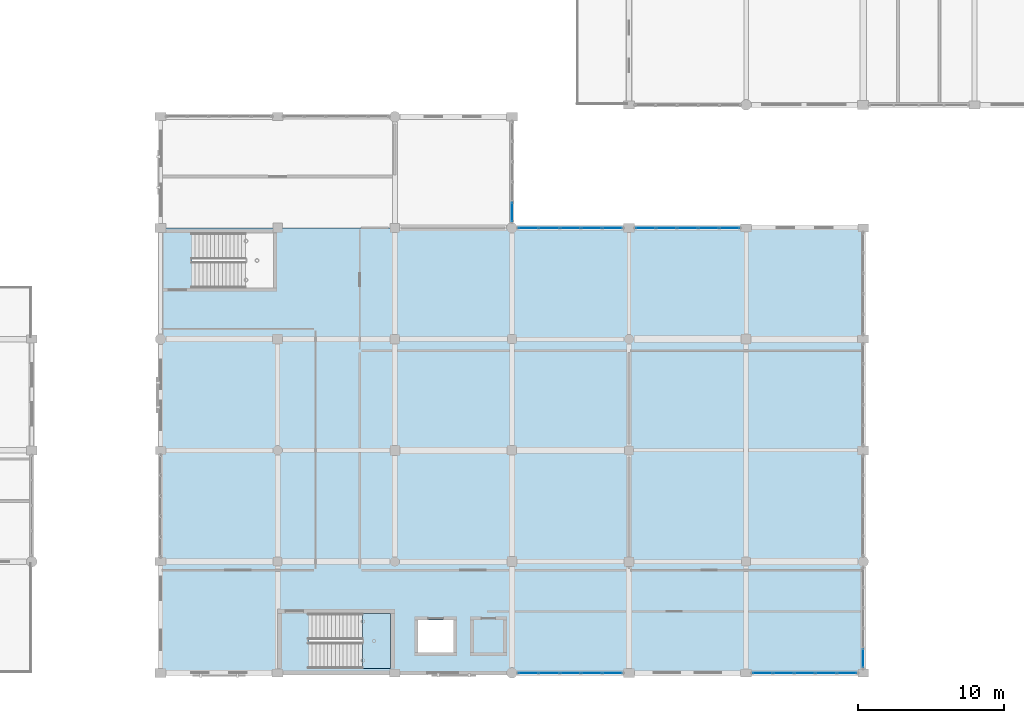
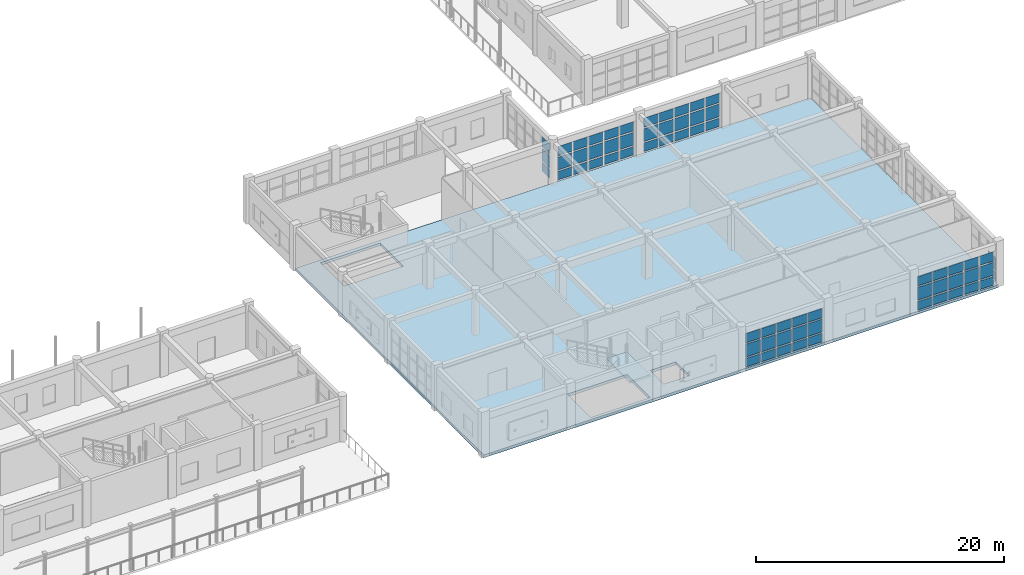
# One storey, part 116 of 160: 65 plates, 2 slabs, 7 elements without a shape of their own.
"""IFC4 building model written with IfcOpenShell, lengths in metres."""

from ifc_helpers import new_model, si_unit, direction, frame, origin, origin_2d, place, context, subcontext, project, spatial, polyline, rectangle, outline, extrude, material, layer, layer_set, type_object, element, aggregate, save


model = new_model("IFC4")

# Units and contexts
model_context = context("Model", 3, precision=1e-05, world=origin(), true_north=direction((0.0, 1.0)))
body_context = subcontext(model_context, "Body", "Model", "MODEL_VIEW")
ifc_project = project(units=[si_unit("LENGTHUNIT", "METRE"), si_unit("AREAUNIT", "SQUARE_METRE"), si_unit("VOLUMEUNIT", "CUBIC_METRE"), si_unit("PLANEANGLEUNIT", "RADIAN"), si_unit("MASSUNIT", "GRAM", prefix="KILO")], contexts=[model_context])

# Site, building, storey
site_placement = place(None, origin())
site = spatial("IfcSite", under=ifc_project, at=site_placement, CompositionType="ELEMENT")
building_placement = place(site_placement, origin())
building = spatial("IfcBuilding", under=site, at=building_placement, Name="Kharva Crest Polytechnic", CompositionType="ELEMENT")
storey_placement = place(building_placement, frame((0.0, 0.0, 4.5)))
storey = spatial("IfcBuildingStorey", under=building, at=storey_placement, Name="L01", CompositionType="ELEMENT", Elevation=4.5)

# Curtain wall, plates
ifc_material_1 = material(Name="Tempered insulated glass", Category="glass")
curtain_wall_type = type_object("IfcCurtainWallType", Name="CW-SYS-REFECTORY", PredefinedType="USERDEFINED", material=ifc_material_1)
curtain_wall_1_placement = place(storey_placement, origin())
curtain_wall_1 = element("IfcCurtainWall", 1, at=curtain_wall_1_placement, inside=storey, type_object=curtain_wall_type, Name="L01 Glazed Curtain Wall CW-041", ObjectType="CURTAIN WALL", PredefinedType="USERDEFINED")
ifc_layer_1 = layer(ifc_material_1, 0.030029296875, Name="Tempered insulated glass")
ifc_layer_set_1 = layer_set([ifc_layer_1], Name="Tempered insulated glass")
plate_type = type_object("IfcPlateType", Name="CWP-GLZ-30", PredefinedType="CURTAIN_PANEL", material=ifc_layer_set_1)
plate_1_placement = place(storey_placement, frame((144.800048828125, 31.48291015625, 0.14013671875), z_axis=(0.0, 0.0, 1.0), x_axis=(0.0, 1.0, 0.0)))
plate_1 = element("IfcPlate", 2, at=plate_1_placement, type_object=plate_type, Name="CW-041 panel 1.1", PredefinedType="CURTAIN_PANEL", context=body_context, shape_type="SweptSolid", body=[
    extrude(rectangle(XDim=1.236083984375, YDim=0.030029296875, at=origin_2d()), origin(), (0.0, 0.0, 1.0), 0.840087890625),
])
plate_2_placement = place(storey_placement, frame((144.800048828125, 31.48291015625, 1.1201171875), z_axis=(0.0, 0.0, 1.0), x_axis=(0.0, 1.0, 0.0)))
plate_2 = element("IfcPlate", 3, at=plate_2_placement, type_object=plate_type, Name="CW-041 panel 1.2", PredefinedType="CURTAIN_PANEL", context=body_context, shape_type="SweptSolid", body=[
    extrude(rectangle(XDim=1.236083984375, YDim=0.030029296875, at=origin_2d()), origin(), (0.0, 0.0, 1.0), 1.260009765625),
])
plate_3_placement = place(storey_placement, frame((144.800048828125, 31.48291015625, 2.52001953125), z_axis=(0.0, 0.0, 1.0), x_axis=(0.0, 1.0, 0.0)))
plate_3 = element("IfcPlate", 4, at=plate_3_placement, type_object=plate_type, Name="CW-041 panel 1.3", PredefinedType="CURTAIN_PANEL", context=body_context, shape_type="SweptSolid", body=[
    extrude(rectangle(XDim=1.236083984375, YDim=0.030029296875, at=origin_2d()), origin(), (0.0, 0.0, 1.0), 1.0400390625),
])
aggregate(curtain_wall_1, [plate_1, plate_2, plate_3])

curtain_wall_2_placement = place(storey_placement, origin())
curtain_wall_2 = element("IfcCurtainWall", 5, at=curtain_wall_2_placement, inside=storey, type_object=curtain_wall_type, Name="L01 Glazed Curtain Wall CW-045", ObjectType="CURTAIN WALL", PredefinedType="USERDEFINED")
plate_4_placement = place(storey_placement, frame((145.91552734375, 0.0, 0.14013671875), z_axis=(0.0, 0.0, 1.0), x_axis=(1.0, 0.0, 0.0)))
plate_4 = element("IfcPlate", 6, at=plate_4_placement, type_object=plate_type, Name="CW-045 panel 1.1", PredefinedType="CURTAIN_PANEL", context=body_context, shape_type="SweptSolid", body=[
    extrude(rectangle(XDim=1.301025390625, YDim=0.030029296875, at=origin_2d()), origin(), (0.0, 0.0, 1.0), 0.840087890625),
])
plate_5_placement = place(storey_placement, frame((145.91552734375, 0.0, 1.1201171875), z_axis=(0.0, 0.0, 1.0), x_axis=(1.0, 0.0, 0.0)))
plate_5 = element("IfcPlate", 7, at=plate_5_placement, type_object=plate_type, Name="CW-045 panel 1.2", PredefinedType="CURTAIN_PANEL", context=body_context, shape_type="SweptSolid", body=[
    extrude(rectangle(XDim=1.301025390625, YDim=0.030029296875, at=origin_2d()), origin(), (0.0, 0.0, 1.0), 1.260009765625),
])
plate_6_placement = place(storey_placement, frame((145.91552734375, 0.0, 2.52001953125), z_axis=(0.0, 0.0, 1.0), x_axis=(1.0, 0.0, 0.0)))
plate_6 = element("IfcPlate", 8, at=plate_6_placement, type_object=plate_type, Name="CW-045 panel 1.3", PredefinedType="CURTAIN_PANEL", context=body_context, shape_type="SweptSolid", body=[
    extrude(rectangle(XDim=1.301025390625, YDim=0.030029296875, at=origin_2d()), origin(), (0.0, 0.0, 1.0), 0.909912109375),
])
plate_7_placement = place(storey_placement, frame((147.341552734375, 0.0, 0.14013671875), z_axis=(0.0, 0.0, 1.0), x_axis=(1.0, 0.0, 0.0)))
plate_7 = element("IfcPlate", 9, at=plate_7_placement, type_object=plate_type, Name="CW-045 panel 2.1", PredefinedType="CURTAIN_PANEL", context=body_context, shape_type="SweptSolid", body=[
    extrude(rectangle(XDim=1.35107421875, YDim=0.030029296875, at=origin_2d()), origin(), (0.0, 0.0, 1.0), 0.840087890625),
])
plate_8_placement = place(storey_placement, frame((147.341552734375, 0.0, 1.1201171875), z_axis=(0.0, 0.0, 1.0), x_axis=(1.0, 0.0, 0.0)))
plate_8 = element("IfcPlate", 10, at=plate_8_placement, type_object=plate_type, Name="CW-045 panel 2.2", PredefinedType="CURTAIN_PANEL", context=body_context, shape_type="SweptSolid", body=[
    extrude(rectangle(XDim=1.35107421875, YDim=0.030029296875, at=origin_2d()), origin(), (0.0, 0.0, 1.0), 1.260009765625),
])
plate_9_placement = place(storey_placement, frame((147.341552734375, 0.0, 2.52001953125), z_axis=(0.0, 0.0, 1.0), x_axis=(1.0, 0.0, 0.0)))
plate_9 = element("IfcPlate", 11, at=plate_9_placement, type_object=plate_type, Name="CW-045 panel 2.3", PredefinedType="CURTAIN_PANEL", context=body_context, shape_type="SweptSolid", body=[
    extrude(rectangle(XDim=1.35107421875, YDim=0.030029296875, at=origin_2d()), origin(), (0.0, 0.0, 1.0), 0.909912109375),
])
plate_10_placement = place(storey_placement, frame((148.79248046875, 0.0, 0.14013671875), z_axis=(0.0, 0.0, 1.0), x_axis=(1.0, 0.0, 0.0)))
plate_10 = element("IfcPlate", 12, at=plate_10_placement, type_object=plate_type, Name="CW-045 panel 3.1", PredefinedType="CURTAIN_PANEL", context=body_context, shape_type="SweptSolid", body=[
    extrude(rectangle(XDim=1.35107421875, YDim=0.030029296875, at=origin_2d()), origin(), (0.0, 0.0, 1.0), 0.840087890625),
])
plate_11_placement = place(storey_placement, frame((148.79248046875, 0.0, 1.1201171875), z_axis=(0.0, 0.0, 1.0), x_axis=(1.0, 0.0, 0.0)))
plate_11 = element("IfcPlate", 13, at=plate_11_placement, type_object=plate_type, Name="CW-045 panel 3.2", PredefinedType="CURTAIN_PANEL", context=body_context, shape_type="SweptSolid", body=[
    extrude(rectangle(XDim=1.35107421875, YDim=0.030029296875, at=origin_2d()), origin(), (0.0, 0.0, 1.0), 1.260009765625),
])
plate_12_placement = place(storey_placement, frame((148.79248046875, 0.0, 2.52001953125), z_axis=(0.0, 0.0, 1.0), x_axis=(1.0, 0.0, 0.0)))
plate_12 = element("IfcPlate", 14, at=plate_12_placement, type_object=plate_type, Name="CW-045 panel 3.3", PredefinedType="CURTAIN_PANEL", context=body_context, shape_type="SweptSolid", body=[
    extrude(rectangle(XDim=1.35107421875, YDim=0.030029296875, at=origin_2d()), origin(), (0.0, 0.0, 1.0), 0.909912109375),
])
plate_13_placement = place(storey_placement, frame((150.243408203125, 0.0, 0.14013671875), z_axis=(0.0, 0.0, 1.0), x_axis=(1.0, 0.0, 0.0)))
plate_13 = element("IfcPlate", 15, at=plate_13_placement, type_object=plate_type, Name="CW-045 panel 4.1", PredefinedType="CURTAIN_PANEL", context=body_context, shape_type="SweptSolid", body=[
    extrude(rectangle(XDim=1.35107421875, YDim=0.030029296875, at=origin_2d()), origin(), (0.0, 0.0, 1.0), 0.840087890625),
])
plate_14_placement = place(storey_placement, frame((150.243408203125, 0.0, 1.1201171875), z_axis=(0.0, 0.0, 1.0), x_axis=(1.0, 0.0, 0.0)))
plate_14 = element("IfcPlate", 16, at=plate_14_placement, type_object=plate_type, Name="CW-045 panel 4.2", PredefinedType="CURTAIN_PANEL", context=body_context, shape_type="SweptSolid", body=[
    extrude(rectangle(XDim=1.35107421875, YDim=0.030029296875, at=origin_2d()), origin(), (0.0, 0.0, 1.0), 1.260009765625),
])
plate_15_placement = place(storey_placement, frame((150.243408203125, 0.0, 2.52001953125), z_axis=(0.0, 0.0, 1.0), x_axis=(1.0, 0.0, 0.0)))
plate_15 = element("IfcPlate", 17, at=plate_15_placement, type_object=plate_type, Name="CW-045 panel 4.3", PredefinedType="CURTAIN_PANEL", context=body_context, shape_type="SweptSolid", body=[
    extrude(rectangle(XDim=1.35107421875, YDim=0.030029296875, at=origin_2d()), origin(), (0.0, 0.0, 1.0), 0.909912109375),
])
plate_16_placement = place(storey_placement, frame((151.66943359375, 0.0, 0.14013671875), z_axis=(0.0, 0.0, 1.0), x_axis=(1.0, 0.0, 0.0)))
plate_16 = element("IfcPlate", 18, at=plate_16_placement, type_object=plate_type, Name="CW-045 panel 5.1", PredefinedType="CURTAIN_PANEL", context=body_context, shape_type="SweptSolid", body=[
    extrude(rectangle(XDim=1.301025390625, YDim=0.030029296875, at=origin_2d()), origin(), (0.0, 0.0, 1.0), 0.840087890625),
])
plate_17_placement = place(storey_placement, frame((151.66943359375, 0.0, 1.1201171875), z_axis=(0.0, 0.0, 1.0), x_axis=(1.0, 0.0, 0.0)))
plate_17 = element("IfcPlate", 19, at=plate_17_placement, type_object=plate_type, Name="CW-045 panel 5.2", PredefinedType="CURTAIN_PANEL", context=body_context, shape_type="SweptSolid", body=[
    extrude(rectangle(XDim=1.301025390625, YDim=0.030029296875, at=origin_2d()), origin(), (0.0, 0.0, 1.0), 1.260009765625),
])
plate_18_placement = place(storey_placement, frame((151.66943359375, 0.0, 2.52001953125), z_axis=(0.0, 0.0, 1.0), x_axis=(1.0, 0.0, 0.0)))
plate_18 = element("IfcPlate", 20, at=plate_18_placement, type_object=plate_type, Name="CW-045 panel 5.3", PredefinedType="CURTAIN_PANEL", context=body_context, shape_type="SweptSolid", body=[
    extrude(rectangle(XDim=1.301025390625, YDim=0.030029296875, at=origin_2d()), origin(), (0.0, 0.0, 1.0), 0.909912109375),
])
aggregate(curtain_wall_2, [plate_4, plate_5, plate_6, plate_7, plate_8, plate_9, plate_10, plate_11, plate_12, plate_13, plate_14, plate_15, plate_16, plate_17, plate_18])

curtain_wall_3_placement = place(storey_placement, origin())
curtain_wall_3 = element("IfcCurtainWall", 21, at=curtain_wall_3_placement, inside=storey, type_object=curtain_wall_type, Name="L01 Glazed Curtain Wall CW-046", ObjectType="CURTAIN WALL", PredefinedType="USERDEFINED")
plate_19_placement = place(storey_placement, frame((161.930419921875, 0.0, 0.14013671875), z_axis=(0.0, 0.0, 1.0), x_axis=(1.0, 0.0, 0.0)))
plate_19 = element("IfcPlate", 22, at=plate_19_placement, type_object=plate_type, Name="CW-046 panel 1.1", PredefinedType="CURTAIN_PANEL", context=body_context, shape_type="SweptSolid", body=[
    extrude(rectangle(XDim=1.301025390625, YDim=0.030029296875, at=origin_2d()), origin(), (0.0, 0.0, 1.0), 0.840087890625),
])
plate_20_placement = place(storey_placement, frame((161.930419921875, 0.0, 1.1201171875), z_axis=(0.0, 0.0, 1.0), x_axis=(1.0, 0.0, 0.0)))
plate_20 = element("IfcPlate", 23, at=plate_20_placement, type_object=plate_type, Name="CW-046 panel 1.2", PredefinedType="CURTAIN_PANEL", context=body_context, shape_type="SweptSolid", body=[
    extrude(rectangle(XDim=1.301025390625, YDim=0.030029296875, at=origin_2d()), origin(), (0.0, 0.0, 1.0), 1.260009765625),
])
plate_21_placement = place(storey_placement, frame((161.930419921875, 0.0, 2.52001953125), z_axis=(0.0, 0.0, 1.0), x_axis=(1.0, 0.0, 0.0)))
plate_21 = element("IfcPlate", 24, at=plate_21_placement, type_object=plate_type, Name="CW-046 panel 1.3", PredefinedType="CURTAIN_PANEL", context=body_context, shape_type="SweptSolid", body=[
    extrude(rectangle(XDim=1.301025390625, YDim=0.030029296875, at=origin_2d()), origin(), (0.0, 0.0, 1.0), 0.909912109375),
])
plate_22_placement = place(storey_placement, frame((163.3564453125, 0.0, 0.14013671875), z_axis=(0.0, 0.0, 1.0), x_axis=(1.0, 0.0, 0.0)))
plate_22 = element("IfcPlate", 25, at=plate_22_placement, type_object=plate_type, Name="CW-046 panel 2.1", PredefinedType="CURTAIN_PANEL", context=body_context, shape_type="SweptSolid", body=[
    extrude(rectangle(XDim=1.35107421875, YDim=0.030029296875, at=origin_2d()), origin(), (0.0, 0.0, 1.0), 0.840087890625),
])
plate_23_placement = place(storey_placement, frame((163.3564453125, 0.0, 1.1201171875), z_axis=(0.0, 0.0, 1.0), x_axis=(1.0, 0.0, 0.0)))
plate_23 = element("IfcPlate", 26, at=plate_23_placement, type_object=plate_type, Name="CW-046 panel 2.2", PredefinedType="CURTAIN_PANEL", context=body_context, shape_type="SweptSolid", body=[
    extrude(rectangle(XDim=1.35107421875, YDim=0.030029296875, at=origin_2d()), origin(), (0.0, 0.0, 1.0), 1.260009765625),
])
plate_24_placement = place(storey_placement, frame((163.3564453125, 0.0, 2.52001953125), z_axis=(0.0, 0.0, 1.0), x_axis=(1.0, 0.0, 0.0)))
plate_24 = element("IfcPlate", 27, at=plate_24_placement, type_object=plate_type, Name="CW-046 panel 2.3", PredefinedType="CURTAIN_PANEL", context=body_context, shape_type="SweptSolid", body=[
    extrude(rectangle(XDim=1.35107421875, YDim=0.030029296875, at=origin_2d()), origin(), (0.0, 0.0, 1.0), 0.909912109375),
])
plate_25_placement = place(storey_placement, frame((164.8076171875, 0.0, 0.14013671875), z_axis=(0.0, 0.0, 1.0), x_axis=(1.0, 0.0, 0.0)))
plate_25 = element("IfcPlate", 28, at=plate_25_placement, type_object=plate_type, Name="CW-046 panel 3.1", PredefinedType="CURTAIN_PANEL", context=body_context, shape_type="SweptSolid", body=[
    extrude(rectangle(XDim=1.35107421875, YDim=0.030029296875, at=origin_2d()), origin(), (0.0, 0.0, 1.0), 0.840087890625),
])
plate_26_placement = place(storey_placement, frame((164.8076171875, 0.0, 1.1201171875), z_axis=(0.0, 0.0, 1.0), x_axis=(1.0, 0.0, 0.0)))
plate_26 = element("IfcPlate", 29, at=plate_26_placement, type_object=plate_type, Name="CW-046 panel 3.2", PredefinedType="CURTAIN_PANEL", context=body_context, shape_type="SweptSolid", body=[
    extrude(rectangle(XDim=1.35107421875, YDim=0.030029296875, at=origin_2d()), origin(), (0.0, 0.0, 1.0), 1.260009765625),
])
plate_27_placement = place(storey_placement, frame((164.8076171875, 0.0, 2.52001953125), z_axis=(0.0, 0.0, 1.0), x_axis=(1.0, 0.0, 0.0)))
plate_27 = element("IfcPlate", 30, at=plate_27_placement, type_object=plate_type, Name="CW-046 panel 3.3", PredefinedType="CURTAIN_PANEL", context=body_context, shape_type="SweptSolid", body=[
    extrude(rectangle(XDim=1.35107421875, YDim=0.030029296875, at=origin_2d()), origin(), (0.0, 0.0, 1.0), 0.909912109375),
])
plate_28_placement = place(storey_placement, frame((166.258544921875, 0.0, 0.14013671875), z_axis=(0.0, 0.0, 1.0), x_axis=(1.0, 0.0, 0.0)))
plate_28 = element("IfcPlate", 31, at=plate_28_placement, type_object=plate_type, Name="CW-046 panel 4.1", PredefinedType="CURTAIN_PANEL", context=body_context, shape_type="SweptSolid", body=[
    extrude(rectangle(XDim=1.35107421875, YDim=0.030029296875, at=origin_2d()), origin(), (0.0, 0.0, 1.0), 0.840087890625),
])
plate_29_placement = place(storey_placement, frame((166.258544921875, 0.0, 1.1201171875), z_axis=(0.0, 0.0, 1.0), x_axis=(1.0, 0.0, 0.0)))
plate_29 = element("IfcPlate", 32, at=plate_29_placement, type_object=plate_type, Name="CW-046 panel 4.2", PredefinedType="CURTAIN_PANEL", context=body_context, shape_type="SweptSolid", body=[
    extrude(rectangle(XDim=1.35107421875, YDim=0.030029296875, at=origin_2d()), origin(), (0.0, 0.0, 1.0), 1.260009765625),
])
plate_30_placement = place(storey_placement, frame((166.258544921875, 0.0, 2.52001953125), z_axis=(0.0, 0.0, 1.0), x_axis=(1.0, 0.0, 0.0)))
plate_30 = element("IfcPlate", 33, at=plate_30_placement, type_object=plate_type, Name="CW-046 panel 4.3", PredefinedType="CURTAIN_PANEL", context=body_context, shape_type="SweptSolid", body=[
    extrude(rectangle(XDim=1.35107421875, YDim=0.030029296875, at=origin_2d()), origin(), (0.0, 0.0, 1.0), 0.909912109375),
])
plate_31_placement = place(storey_placement, frame((167.6845703125, 0.0, 0.14013671875), z_axis=(0.0, 0.0, 1.0), x_axis=(1.0, 0.0, 0.0)))
plate_31 = element("IfcPlate", 34, at=plate_31_placement, type_object=plate_type, Name="CW-046 panel 5.1", PredefinedType="CURTAIN_PANEL", context=body_context, shape_type="SweptSolid", body=[
    extrude(rectangle(XDim=1.301025390625, YDim=0.030029296875, at=origin_2d()), origin(), (0.0, 0.0, 1.0), 0.840087890625),
])
plate_32_placement = place(storey_placement, frame((167.6845703125, 0.0, 1.1201171875), z_axis=(0.0, 0.0, 1.0), x_axis=(1.0, 0.0, 0.0)))
plate_32 = element("IfcPlate", 35, at=plate_32_placement, type_object=plate_type, Name="CW-046 panel 5.2", PredefinedType="CURTAIN_PANEL", context=body_context, shape_type="SweptSolid", body=[
    extrude(rectangle(XDim=1.301025390625, YDim=0.030029296875, at=origin_2d()), origin(), (0.0, 0.0, 1.0), 1.260009765625),
])
plate_33_placement = place(storey_placement, frame((167.6845703125, 0.0, 2.52001953125), z_axis=(0.0, 0.0, 1.0), x_axis=(1.0, 0.0, 0.0)))
plate_33 = element("IfcPlate", 36, at=plate_33_placement, type_object=plate_type, Name="CW-046 panel 5.3", PredefinedType="CURTAIN_PANEL", context=body_context, shape_type="SweptSolid", body=[
    extrude(rectangle(XDim=1.301025390625, YDim=0.030029296875, at=origin_2d()), origin(), (0.0, 0.0, 1.0), 0.909912109375),
])
aggregate(curtain_wall_3, [plate_19, plate_20, plate_21, plate_22, plate_23, plate_24, plate_25, plate_26, plate_27, plate_28, plate_29, plate_30, plate_31, plate_32, plate_33])

curtain_wall_4_placement = place(storey_placement, origin())
curtain_wall_4 = element("IfcCurtainWall", 37, at=curtain_wall_4_placement, inside=storey, type_object=curtain_wall_type, Name="L01 Glazed Curtain Wall CW-047", ObjectType="CURTAIN WALL", PredefinedType="USERDEFINED")
plate_34_placement = place(storey_placement, frame((168.800048828125, 1.00048828125, 0.14013671875), z_axis=(0.0, 0.0, 1.0), x_axis=(0.0, 1.0, 0.0)))
plate_34 = element("IfcPlate", 38, at=plate_34_placement, type_object=plate_type, Name="CW-047 panel 1.1", PredefinedType="CURTAIN_PANEL", context=body_context, shape_type="SweptSolid", body=[
    extrude(rectangle(XDim=1.240966796875, YDim=0.030029296875, at=origin_2d()), origin(), (0.0, 0.0, 1.0), 0.840087890625),
])
plate_35_placement = place(storey_placement, frame((168.800048828125, 1.00048828125, 1.1201171875), z_axis=(0.0, 0.0, 1.0), x_axis=(0.0, 1.0, 0.0)))
plate_35 = element("IfcPlate", 39, at=plate_35_placement, type_object=plate_type, Name="CW-047 panel 1.2", PredefinedType="CURTAIN_PANEL", context=body_context, shape_type="SweptSolid", body=[
    extrude(rectangle(XDim=1.240966796875, YDim=0.030029296875, at=origin_2d()), origin(), (0.0, 0.0, 1.0), 1.260009765625),
])
aggregate(curtain_wall_4, [plate_34, plate_35])

curtain_wall_5_placement = place(storey_placement, origin())
curtain_wall_5 = element("IfcCurtainWall", 40, at=curtain_wall_5_placement, inside=storey, type_object=curtain_wall_type, Name="L01 Glazed Curtain Wall CW-051", ObjectType="CURTAIN WALL", PredefinedType="USERDEFINED")
plate_36_placement = place(storey_placement, frame((159.6708984375, 30.39990234375, 0.14013671875), z_axis=(0.0, 0.0, 1.0), x_axis=(-1.0, 0.0, 0.0)))
plate_36 = element("IfcPlate", 41, at=plate_36_placement, type_object=plate_type, Name="CW-051 panel 1.1", PredefinedType="CURTAIN_PANEL", context=body_context, shape_type="SweptSolid", body=[
    extrude(rectangle(XDim=1.298095703125, YDim=0.030029296875, at=origin_2d()), origin(), (0.0, 0.0, 1.0), 0.840087890625),
])
plate_37_placement = place(storey_placement, frame((159.6708984375, 30.39990234375, 1.1201171875), z_axis=(0.0, 0.0, 1.0), x_axis=(-1.0, 0.0, 0.0)))
plate_37 = element("IfcPlate", 42, at=plate_37_placement, type_object=plate_type, Name="CW-051 panel 1.2", PredefinedType="CURTAIN_PANEL", context=body_context, shape_type="SweptSolid", body=[
    extrude(rectangle(XDim=1.298095703125, YDim=0.030029296875, at=origin_2d()), origin(), (0.0, 0.0, 1.0), 1.260009765625),
])
plate_38_placement = place(storey_placement, frame((159.6708984375, 30.39990234375, 2.52001953125), z_axis=(0.0, 0.0, 1.0), x_axis=(-1.0, 0.0, 0.0)))
plate_38 = element("IfcPlate", 43, at=plate_38_placement, type_object=plate_type, Name="CW-051 panel 1.3", PredefinedType="CURTAIN_PANEL", context=body_context, shape_type="SweptSolid", body=[
    extrude(rectangle(XDim=1.298095703125, YDim=0.030029296875, at=origin_2d()), origin(), (0.0, 0.0, 1.0), 0.909912109375),
])
plate_39_placement = place(storey_placement, frame((158.248046875, 30.39990234375, 0.14013671875), z_axis=(0.0, 0.0, 1.0), x_axis=(-1.0, 0.0, 0.0)))
plate_39 = element("IfcPlate", 44, at=plate_39_placement, type_object=plate_type, Name="CW-051 panel 2.1", PredefinedType="CURTAIN_PANEL", context=body_context, shape_type="SweptSolid", body=[
    extrude(rectangle(XDim=1.347900390625, YDim=0.030029296875, at=origin_2d()), origin(), (0.0, 0.0, 1.0), 0.840087890625),
])
plate_40_placement = place(storey_placement, frame((158.248046875, 30.39990234375, 1.1201171875), z_axis=(0.0, 0.0, 1.0), x_axis=(-1.0, 0.0, 0.0)))
plate_40 = element("IfcPlate", 45, at=plate_40_placement, type_object=plate_type, Name="CW-051 panel 2.2", PredefinedType="CURTAIN_PANEL", context=body_context, shape_type="SweptSolid", body=[
    extrude(rectangle(XDim=1.347900390625, YDim=0.030029296875, at=origin_2d()), origin(), (0.0, 0.0, 1.0), 1.260009765625),
])
plate_41_placement = place(storey_placement, frame((158.248046875, 30.39990234375, 2.52001953125), z_axis=(0.0, 0.0, 1.0), x_axis=(-1.0, 0.0, 0.0)))
plate_41 = element("IfcPlate", 46, at=plate_41_placement, type_object=plate_type, Name="CW-051 panel 2.3", PredefinedType="CURTAIN_PANEL", context=body_context, shape_type="SweptSolid", body=[
    extrude(rectangle(XDim=1.347900390625, YDim=0.030029296875, at=origin_2d()), origin(), (0.0, 0.0, 1.0), 0.909912109375),
])
plate_42_placement = place(storey_placement, frame((156.800048828125, 30.39990234375, 0.14013671875), z_axis=(0.0, 0.0, 1.0), x_axis=(-1.0, 0.0, 0.0)))
plate_42 = element("IfcPlate", 47, at=plate_42_placement, type_object=plate_type, Name="CW-051 panel 3.1", PredefinedType="CURTAIN_PANEL", context=body_context, shape_type="SweptSolid", body=[
    extrude(rectangle(XDim=1.347900390625, YDim=0.030029296875, at=origin_2d()), origin(), (0.0, 0.0, 1.0), 0.840087890625),
])
plate_43_placement = place(storey_placement, frame((156.800048828125, 30.39990234375, 1.1201171875), z_axis=(0.0, 0.0, 1.0), x_axis=(-1.0, 0.0, 0.0)))
plate_43 = element("IfcPlate", 48, at=plate_43_placement, type_object=plate_type, Name="CW-051 panel 3.2", PredefinedType="CURTAIN_PANEL", context=body_context, shape_type="SweptSolid", body=[
    extrude(rectangle(XDim=1.347900390625, YDim=0.030029296875, at=origin_2d()), origin(), (0.0, 0.0, 1.0), 1.260009765625),
])
plate_44_placement = place(storey_placement, frame((156.800048828125, 30.39990234375, 2.52001953125), z_axis=(0.0, 0.0, 1.0), x_axis=(-1.0, 0.0, 0.0)))
plate_44 = element("IfcPlate", 49, at=plate_44_placement, type_object=plate_type, Name="CW-051 panel 3.3", PredefinedType="CURTAIN_PANEL", context=body_context, shape_type="SweptSolid", body=[
    extrude(rectangle(XDim=1.347900390625, YDim=0.030029296875, at=origin_2d()), origin(), (0.0, 0.0, 1.0), 0.909912109375),
])
plate_45_placement = place(storey_placement, frame((155.35205078125, 30.39990234375, 0.14013671875), z_axis=(0.0, 0.0, 1.0), x_axis=(-1.0, 0.0, 0.0)))
plate_45 = element("IfcPlate", 50, at=plate_45_placement, type_object=plate_type, Name="CW-051 panel 4.1", PredefinedType="CURTAIN_PANEL", context=body_context, shape_type="SweptSolid", body=[
    extrude(rectangle(XDim=1.347900390625, YDim=0.030029296875, at=origin_2d()), origin(), (0.0, 0.0, 1.0), 0.840087890625),
])
plate_46_placement = place(storey_placement, frame((155.35205078125, 30.39990234375, 1.1201171875), z_axis=(0.0, 0.0, 1.0), x_axis=(-1.0, 0.0, 0.0)))
plate_46 = element("IfcPlate", 51, at=plate_46_placement, type_object=plate_type, Name="CW-051 panel 4.2", PredefinedType="CURTAIN_PANEL", context=body_context, shape_type="SweptSolid", body=[
    extrude(rectangle(XDim=1.347900390625, YDim=0.030029296875, at=origin_2d()), origin(), (0.0, 0.0, 1.0), 1.260009765625),
])
plate_47_placement = place(storey_placement, frame((155.35205078125, 30.39990234375, 2.52001953125), z_axis=(0.0, 0.0, 1.0), x_axis=(-1.0, 0.0, 0.0)))
plate_47 = element("IfcPlate", 52, at=plate_47_placement, type_object=plate_type, Name="CW-051 panel 4.3", PredefinedType="CURTAIN_PANEL", context=body_context, shape_type="SweptSolid", body=[
    extrude(rectangle(XDim=1.347900390625, YDim=0.030029296875, at=origin_2d()), origin(), (0.0, 0.0, 1.0), 0.909912109375),
])
plate_48_placement = place(storey_placement, frame((153.928955078125, 30.39990234375, 0.14013671875), z_axis=(0.0, 0.0, 1.0), x_axis=(-1.0, 0.0, 0.0)))
plate_48 = element("IfcPlate", 53, at=plate_48_placement, type_object=plate_type, Name="CW-051 panel 5.1", PredefinedType="CURTAIN_PANEL", context=body_context, shape_type="SweptSolid", body=[
    extrude(rectangle(XDim=1.298095703125, YDim=0.030029296875, at=origin_2d()), origin(), (0.0, 0.0, 1.0), 0.840087890625),
])
plate_49_placement = place(storey_placement, frame((153.928955078125, 30.39990234375, 1.1201171875), z_axis=(0.0, 0.0, 1.0), x_axis=(-1.0, 0.0, 0.0)))
plate_49 = element("IfcPlate", 54, at=plate_49_placement, type_object=plate_type, Name="CW-051 panel 5.2", PredefinedType="CURTAIN_PANEL", context=body_context, shape_type="SweptSolid", body=[
    extrude(rectangle(XDim=1.298095703125, YDim=0.030029296875, at=origin_2d()), origin(), (0.0, 0.0, 1.0), 1.260009765625),
])
plate_50_placement = place(storey_placement, frame((153.928955078125, 30.39990234375, 2.52001953125), z_axis=(0.0, 0.0, 1.0), x_axis=(-1.0, 0.0, 0.0)))
plate_50 = element("IfcPlate", 55, at=plate_50_placement, type_object=plate_type, Name="CW-051 panel 5.3", PredefinedType="CURTAIN_PANEL", context=body_context, shape_type="SweptSolid", body=[
    extrude(rectangle(XDim=1.298095703125, YDim=0.030029296875, at=origin_2d()), origin(), (0.0, 0.0, 1.0), 0.909912109375),
])
aggregate(curtain_wall_5, [plate_36, plate_37, plate_38, plate_39, plate_40, plate_41, plate_42, plate_43, plate_44, plate_45, plate_46, plate_47, plate_48, plate_49, plate_50])

curtain_wall_6_placement = place(storey_placement, origin())
curtain_wall_6 = element("IfcCurtainWall", 56, at=curtain_wall_6_placement, inside=storey, type_object=curtain_wall_type, Name="L01 Glazed Curtain Wall CW-052", ObjectType="CURTAIN WALL", PredefinedType="USERDEFINED")
plate_51_placement = place(storey_placement, frame((151.66943359375, 30.39990234375, 0.14013671875), z_axis=(0.0, 0.0, 1.0), x_axis=(-1.0, 0.0, 0.0)))
plate_51 = element("IfcPlate", 57, at=plate_51_placement, type_object=plate_type, Name="CW-052 panel 1.1", PredefinedType="CURTAIN_PANEL", context=body_context, shape_type="SweptSolid", body=[
    extrude(rectangle(XDim=1.301025390625, YDim=0.030029296875, at=origin_2d()), origin(), (0.0, 0.0, 1.0), 0.840087890625),
])
plate_52_placement = place(storey_placement, frame((151.66943359375, 30.39990234375, 1.1201171875), z_axis=(0.0, 0.0, 1.0), x_axis=(-1.0, 0.0, 0.0)))
plate_52 = element("IfcPlate", 58, at=plate_52_placement, type_object=plate_type, Name="CW-052 panel 1.2", PredefinedType="CURTAIN_PANEL", context=body_context, shape_type="SweptSolid", body=[
    extrude(rectangle(XDim=1.301025390625, YDim=0.030029296875, at=origin_2d()), origin(), (0.0, 0.0, 1.0), 1.260009765625),
])
plate_53_placement = place(storey_placement, frame((151.66943359375, 30.39990234375, 2.52001953125), z_axis=(0.0, 0.0, 1.0), x_axis=(-1.0, 0.0, 0.0)))
plate_53 = element("IfcPlate", 59, at=plate_53_placement, type_object=plate_type, Name="CW-052 panel 1.3", PredefinedType="CURTAIN_PANEL", context=body_context, shape_type="SweptSolid", body=[
    extrude(rectangle(XDim=1.301025390625, YDim=0.030029296875, at=origin_2d()), origin(), (0.0, 0.0, 1.0), 0.909912109375),
])
plate_54_placement = place(storey_placement, frame((150.243408203125, 30.39990234375, 0.14013671875), z_axis=(0.0, 0.0, 1.0), x_axis=(-1.0, 0.0, 0.0)))
plate_54 = element("IfcPlate", 60, at=plate_54_placement, type_object=plate_type, Name="CW-052 panel 2.1", PredefinedType="CURTAIN_PANEL", context=body_context, shape_type="SweptSolid", body=[
    extrude(rectangle(XDim=1.35107421875, YDim=0.030029296875, at=origin_2d()), origin(), (0.0, 0.0, 1.0), 0.840087890625),
])
plate_55_placement = place(storey_placement, frame((150.243408203125, 30.39990234375, 1.1201171875), z_axis=(0.0, 0.0, 1.0), x_axis=(-1.0, 0.0, 0.0)))
plate_55 = element("IfcPlate", 61, at=plate_55_placement, type_object=plate_type, Name="CW-052 panel 2.2", PredefinedType="CURTAIN_PANEL", context=body_context, shape_type="SweptSolid", body=[
    extrude(rectangle(XDim=1.35107421875, YDim=0.030029296875, at=origin_2d()), origin(), (0.0, 0.0, 1.0), 1.260009765625),
])
plate_56_placement = place(storey_placement, frame((150.243408203125, 30.39990234375, 2.52001953125), z_axis=(0.0, 0.0, 1.0), x_axis=(-1.0, 0.0, 0.0)))
plate_56 = element("IfcPlate", 62, at=plate_56_placement, type_object=plate_type, Name="CW-052 panel 2.3", PredefinedType="CURTAIN_PANEL", context=body_context, shape_type="SweptSolid", body=[
    extrude(rectangle(XDim=1.35107421875, YDim=0.030029296875, at=origin_2d()), origin(), (0.0, 0.0, 1.0), 0.909912109375),
])
plate_57_placement = place(storey_placement, frame((148.79248046875, 30.39990234375, 0.14013671875), z_axis=(0.0, 0.0, 1.0), x_axis=(-1.0, 0.0, 0.0)))
plate_57 = element("IfcPlate", 63, at=plate_57_placement, type_object=plate_type, Name="CW-052 panel 3.1", PredefinedType="CURTAIN_PANEL", context=body_context, shape_type="SweptSolid", body=[
    extrude(rectangle(XDim=1.35107421875, YDim=0.030029296875, at=origin_2d()), origin(), (0.0, 0.0, 1.0), 0.840087890625),
])
plate_58_placement = place(storey_placement, frame((148.79248046875, 30.39990234375, 1.1201171875), z_axis=(0.0, 0.0, 1.0), x_axis=(-1.0, 0.0, 0.0)))
plate_58 = element("IfcPlate", 64, at=plate_58_placement, type_object=plate_type, Name="CW-052 panel 3.2", PredefinedType="CURTAIN_PANEL", context=body_context, shape_type="SweptSolid", body=[
    extrude(rectangle(XDim=1.35107421875, YDim=0.030029296875, at=origin_2d()), origin(), (0.0, 0.0, 1.0), 1.260009765625),
])
plate_59_placement = place(storey_placement, frame((148.79248046875, 30.39990234375, 2.52001953125), z_axis=(0.0, 0.0, 1.0), x_axis=(-1.0, 0.0, 0.0)))
plate_59 = element("IfcPlate", 65, at=plate_59_placement, type_object=plate_type, Name="CW-052 panel 3.3", PredefinedType="CURTAIN_PANEL", context=body_context, shape_type="SweptSolid", body=[
    extrude(rectangle(XDim=1.35107421875, YDim=0.030029296875, at=origin_2d()), origin(), (0.0, 0.0, 1.0), 0.909912109375),
])
plate_60_placement = place(storey_placement, frame((147.341552734375, 30.39990234375, 0.14013671875), z_axis=(0.0, 0.0, 1.0), x_axis=(-1.0, 0.0, 0.0)))
plate_60 = element("IfcPlate", 66, at=plate_60_placement, type_object=plate_type, Name="CW-052 panel 4.1", PredefinedType="CURTAIN_PANEL", context=body_context, shape_type="SweptSolid", body=[
    extrude(rectangle(XDim=1.35107421875, YDim=0.030029296875, at=origin_2d()), origin(), (0.0, 0.0, 1.0), 0.840087890625),
])
plate_61_placement = place(storey_placement, frame((147.341552734375, 30.39990234375, 1.1201171875), z_axis=(0.0, 0.0, 1.0), x_axis=(-1.0, 0.0, 0.0)))
plate_61 = element("IfcPlate", 67, at=plate_61_placement, type_object=plate_type, Name="CW-052 panel 4.2", PredefinedType="CURTAIN_PANEL", context=body_context, shape_type="SweptSolid", body=[
    extrude(rectangle(XDim=1.35107421875, YDim=0.030029296875, at=origin_2d()), origin(), (0.0, 0.0, 1.0), 1.260009765625),
])
plate_62_placement = place(storey_placement, frame((147.341552734375, 30.39990234375, 2.52001953125), z_axis=(0.0, 0.0, 1.0), x_axis=(-1.0, 0.0, 0.0)))
plate_62 = element("IfcPlate", 68, at=plate_62_placement, type_object=plate_type, Name="CW-052 panel 4.3", PredefinedType="CURTAIN_PANEL", context=body_context, shape_type="SweptSolid", body=[
    extrude(rectangle(XDim=1.35107421875, YDim=0.030029296875, at=origin_2d()), origin(), (0.0, 0.0, 1.0), 0.909912109375),
])
plate_63_placement = place(storey_placement, frame((145.91552734375, 30.39990234375, 0.14013671875), z_axis=(0.0, 0.0, 1.0), x_axis=(-1.0, 0.0, 0.0)))
plate_63 = element("IfcPlate", 69, at=plate_63_placement, type_object=plate_type, Name="CW-052 panel 5.1", PredefinedType="CURTAIN_PANEL", context=body_context, shape_type="SweptSolid", body=[
    extrude(rectangle(XDim=1.301025390625, YDim=0.030029296875, at=origin_2d()), origin(), (0.0, 0.0, 1.0), 0.840087890625),
])
plate_64_placement = place(storey_placement, frame((145.91552734375, 30.39990234375, 1.1201171875), z_axis=(0.0, 0.0, 1.0), x_axis=(-1.0, 0.0, 0.0)))
plate_64 = element("IfcPlate", 70, at=plate_64_placement, type_object=plate_type, Name="CW-052 panel 5.2", PredefinedType="CURTAIN_PANEL", context=body_context, shape_type="SweptSolid", body=[
    extrude(rectangle(XDim=1.301025390625, YDim=0.030029296875, at=origin_2d()), origin(), (0.0, 0.0, 1.0), 1.260009765625),
])
plate_65_placement = place(storey_placement, frame((145.91552734375, 30.39990234375, 2.52001953125), z_axis=(0.0, 0.0, 1.0), x_axis=(-1.0, 0.0, 0.0)))
plate_65 = element("IfcPlate", 71, at=plate_65_placement, type_object=plate_type, Name="CW-052 panel 5.3", PredefinedType="CURTAIN_PANEL", context=body_context, shape_type="SweptSolid", body=[
    extrude(rectangle(XDim=1.301025390625, YDim=0.030029296875, at=origin_2d()), origin(), (0.0, 0.0, 1.0), 0.909912109375),
])
aggregate(curtain_wall_6, [plate_51, plate_52, plate_53, plate_54, plate_55, plate_56, plate_57, plate_58, plate_59, plate_60, plate_61, plate_62, plate_63, plate_64, plate_65])

# Slab
ifc_material_2 = material(Name="Concrete C35/45", Category="concrete")
ifc_layer_2 = layer(ifc_material_2, 0.27001953125, Name="Concrete C35/45")
ifc_layer_set_2 = layer_set([ifc_layer_2], Name="Concrete C35/45")
slab_type_1 = type_object("IfcSlabType", Name="SLB-FLR-270", PredefinedType="FLOOR", material=ifc_layer_set_2)
slab_1_placement = place(storey_placement, frame((0.0, 0.0, -0.27001953125)))
element("IfcSlab", 72, at=slab_1_placement, inside=storey, type_object=slab_type_1, Name="L01 Structural Slab SE_REF_MAIN", PredefinedType="FLOOR", context=body_context, shape_type="SweptSolid", body=[
    extrude(outline(polyline([(120.800048828125, 0.0), (168.800048828125, 0.0), (168.800048828125, 30.39990234375), (120.800048828125, 30.39990234375), (120.800048828125, 0.0)]), holes=[polyline([(130.929931640625, 0.300048828125), (136.5, 0.300048828125), (136.5, 4.06005859375), (130.929931640625, 4.06005859375), (130.929931640625, 0.300048828125)]), polyline([(138.39990234375, 1.39990234375), (140.800048828125, 1.39990234375), (140.800048828125, 3.60009765625), (138.39990234375, 3.60009765625), (138.39990234375, 1.39990234375)]), polyline([(122.93994140625, 26.2900390625), (128.5, 26.2900390625), (128.5, 30.050048828125), (122.93994140625, 30.050048828125), (122.93994140625, 26.2900390625)])]), origin(), (0.0, 0.0, 1.0), 0.27001953125),
])

# Stair, slab
stair_type = type_object("IfcStairType", Name="STR-DOGLEG-1780", PredefinedType="TWO_STRAIGHT_RUN_STAIR", material=ifc_material_2)
stair_placement = place(storey_placement, origin())
stair = element("IfcStair", 73, at=stair_placement, inside=storey, type_object=stair_type, Name="L01 South-East Refectory Escarpment Core C6", PredefinedType="TWO_STRAIGHT_RUN_STAIR")
ifc_layer_3 = layer(ifc_material_2, 0.199951171875, Name="Concrete C35/45")
ifc_layer_set_3 = layer_set([ifc_layer_3], Name="Concrete C35/45")
slab_type_2 = type_object("IfcSlabType", Name="SLB-LAND-200", PredefinedType="LANDING", material=ifc_layer_set_3)
slab_2_placement = place(storey_placement, frame((0.0, 0.0, 2.050048828125)))
slab_2 = element("IfcSlab", 74, at=slab_2_placement, type_object=slab_type_2, Name="ST-06 landing 1", PredefinedType="LANDING", context=body_context, shape_type="SweptSolid", body=[
    extrude(outline(polyline([(134.60009765625, 0.300048828125), (136.5, 0.300048828125), (136.5, 4.06005859375), (134.60009765625, 4.06005859375), (134.60009765625, 0.300048828125)])), origin(), (0.0, 0.0, 1.0), 0.199951171875),
])
aggregate(stair, [slab_2])

save(model, "model.ifc")
